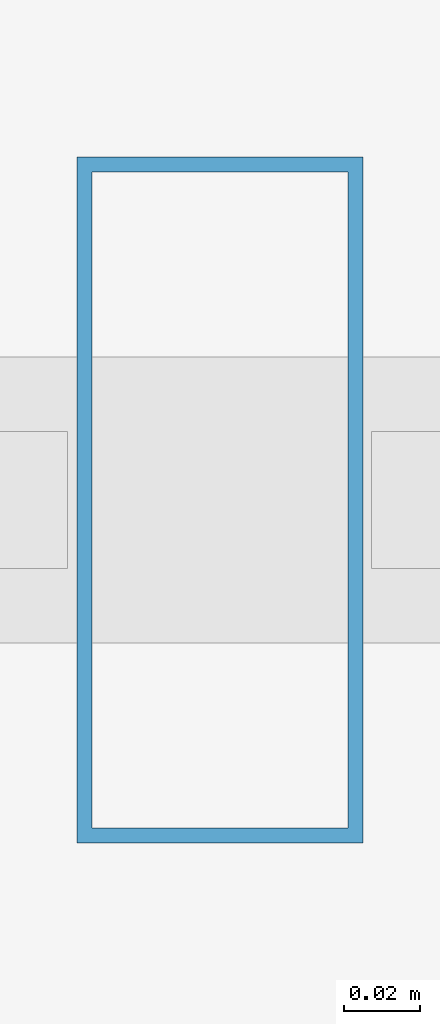
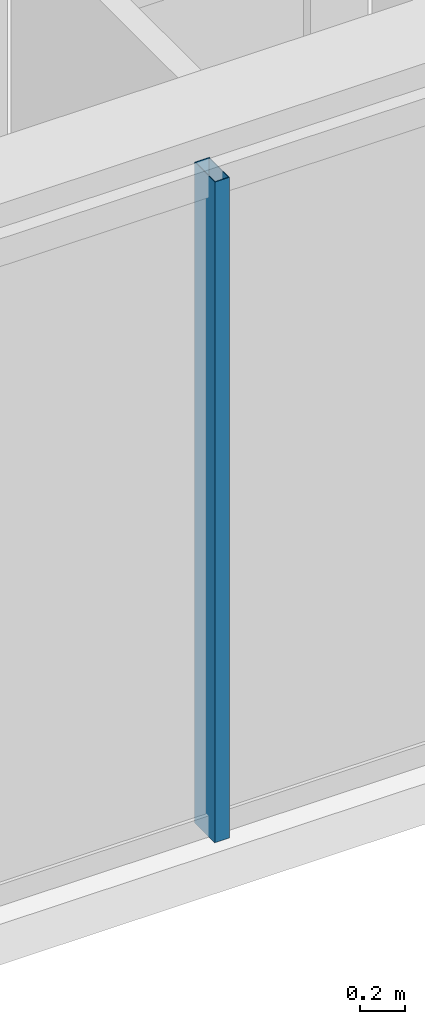
# One storey, part 4 of 31: 1 member, 1 element without a shape of its own.
"""IFC4 building model written with IfcOpenShell, lengths in metres."""

from ifc_helpers import new_model, si_unit, direction, frame, origin, origin_2d, place, context, subcontext, project, spatial, hollow_rectangle, extrude, material, layer, layer_set, material_profile, profile_set, type_object, element, aggregate, save


model = new_model("IFC4")

# Units and contexts
model_context = context("Model", 3, precision=1e-05, world=origin(), true_north=direction((0.0, 1.0)))
body_context = subcontext(model_context, "Body", "Model", "MODEL_VIEW")
ifc_project = project(units=[si_unit("LENGTHUNIT", "METRE"), si_unit("AREAUNIT", "SQUARE_METRE"), si_unit("VOLUMEUNIT", "CUBIC_METRE"), si_unit("PLANEANGLEUNIT", "RADIAN"), si_unit("MASSUNIT", "GRAM", prefix="KILO")], contexts=[model_context])

# Site, building, storey
site_placement = place(None, origin())
site = spatial("IfcSite", under=ifc_project, at=site_placement, CompositionType="ELEMENT")
building_placement = place(site_placement, origin())
building = spatial("IfcBuilding", under=site, at=building_placement, Name="Ndaravel Arena Tower", CompositionType="ELEMENT")
storey_placement = place(building_placement, frame((0.0, 0.0, 104.39990234375)))
storey = spatial("IfcBuildingStorey", under=building, at=storey_placement, Name="L24", CompositionType="ELEMENT", Elevation=104.39990234375)

# Curtain wall, member
ifc_material_1 = material(Name="Aluminium", Category="aluminium")
ifc_layer = layer(ifc_material_1, 0.179931640625)
ifc_layer_set = layer_set([ifc_layer], Name="Aluminium")
curtain_wall_type = type_object("IfcCurtainWallType", Name="CW-SYS-03", PredefinedType="NOTDEFINED", material=ifc_layer_set)
curtain_wall_placement = place(storey_placement, origin())
curtain_wall = element("IfcCurtainWall", 1, at=curtain_wall_placement, inside=storey, type_object=curtain_wall_type, Name="L24 Faceted Crystal Curtain Wall CW-L24-E01", PredefinedType="NOTDEFINED")
ifc_material_2 = material(Name="Aluminium", Category="aluminium")
ifc_material_profile = material_profile(ifc_material_2, hollow_rectangle(XDim=0.074951171875, YDim=0.179931640625, WallThickness=0.00390625, at=origin_2d()), Name="CW MULLION 75x180x4")
ifc_profile_set = profile_set([ifc_material_profile], Name="Aluminium")
member_type = type_object("IfcMemberType", Name="MEM-CW-MUL180", PredefinedType="MULLION", material=ifc_profile_set)
member_placement = place(storey_placement, frame((33.591064453125, 5.159912109375, 0.0), z_axis=(0.0, 0.0, 1.0), x_axis=(1.0, 0.0, 0.0)))
member = element("IfcMember", 2, at=member_placement, type_object=member_type, Name="CW-L24-E01 Mullion 02", PredefinedType="MULLION", context=body_context, shape_type="SweptSolid", body=[
    extrude(hollow_rectangle(XDim=0.074951171875, YDim=0.179931640625, WallThickness=0.00390625, at=origin_2d()), origin(), (0.0, 0.0, 1.0), 3.580078125),
])
aggregate(curtain_wall, [member])

save(model, "model.ifc")
